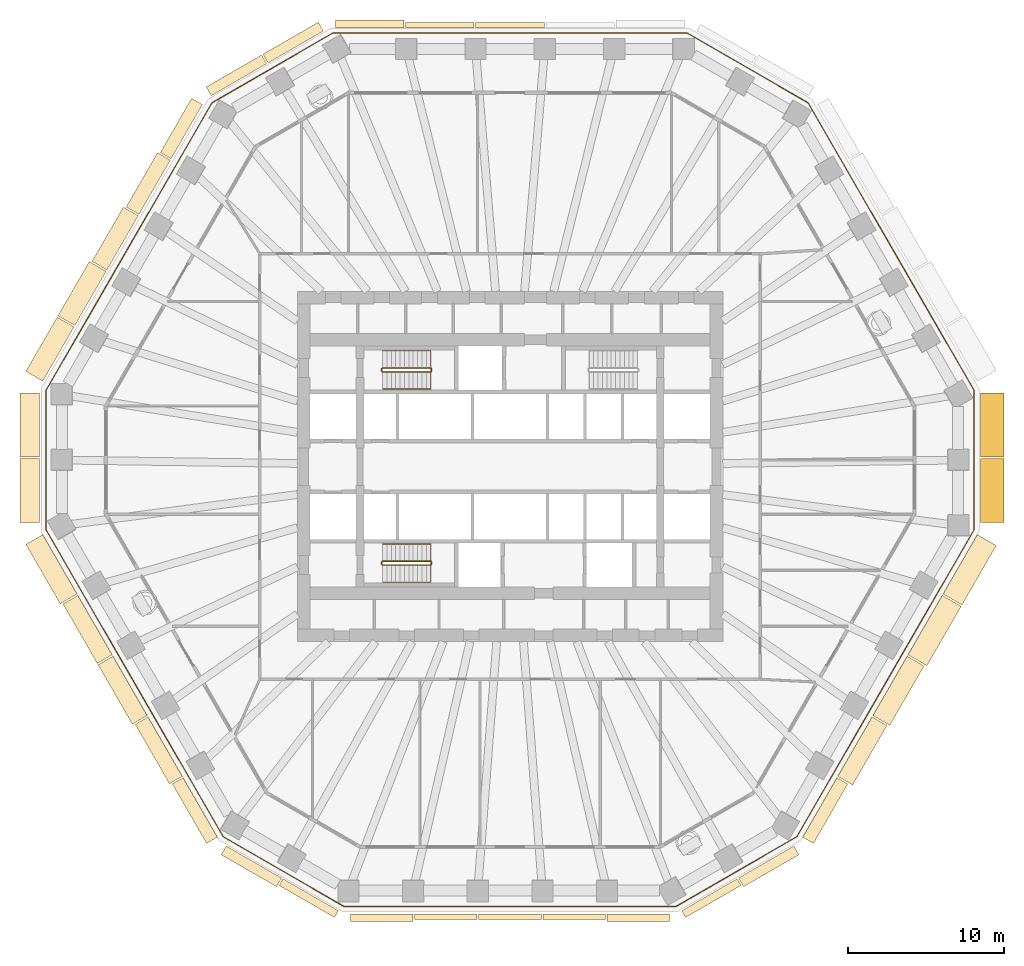
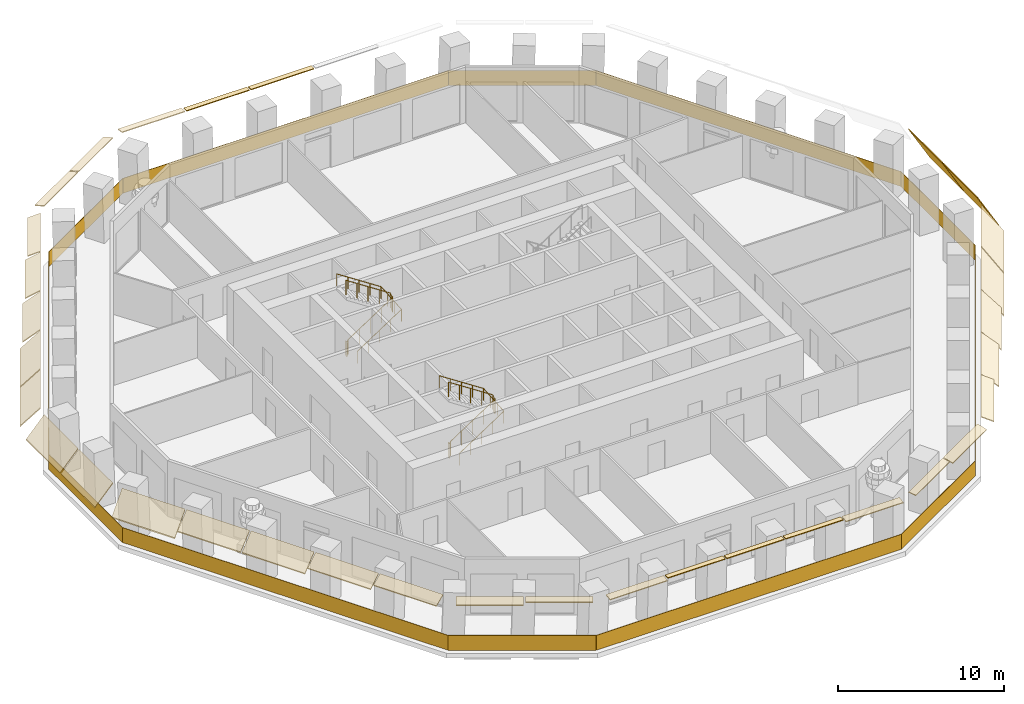
# One storey, part 10 of 13: 33 coverings, 5 railings.
"""IFC4 building model written with IfcOpenShell, lengths in metres."""

from ifc_helpers import new_model, si_unit, direction, frame, origin, origin_2d, place, context, subcontext, project, spatial, polyline, rectangle, circle, outline, extrude, material, layer, layer_set, type_object, element, save


model = new_model("IFC4")

# Units and contexts
model_context = context("Model", 3, precision=1e-05, world=origin(), true_north=direction((0.0, 1.0)))
body_context = subcontext(model_context, "Body", "Model", "MODEL_VIEW")
ifc_project = project(units=[si_unit("LENGTHUNIT", "METRE"), si_unit("AREAUNIT", "SQUARE_METRE"), si_unit("VOLUMEUNIT", "CUBIC_METRE"), si_unit("PLANEANGLEUNIT", "RADIAN"), si_unit("MASSUNIT", "GRAM", prefix="KILO")], contexts=[model_context])

# Site, building, storey
site_placement = place(None, origin())
site = spatial("IfcSite", under=ifc_project, at=site_placement, CompositionType="ELEMENT")
building_placement = place(site_placement, origin())
building = spatial("IfcBuilding", under=site, at=building_placement, Name="Frailejon Research Tower", CompositionType="ELEMENT")
storey_placement = place(building_placement, frame((0.0, 0.0, 94.0)))
storey = spatial("IfcBuildingStorey", under=building, at=storey_placement, Name="L20", CompositionType="ELEMENT", Elevation=94.0)

# Coverings
ifc_material_1 = material(Name="Precast concrete C50/60", Category="concrete")
ifc_layer_1 = layer(ifc_material_1, 0.06005859375)
ifc_layer_set_1 = layer_set([ifc_layer_1], Name="Brim blade depth 1100")
covering_type_1 = type_object("IfcCoveringType", Name="Brim blade depth 1100", PredefinedType="CLADDING", material=ifc_layer_set_1)
covering_1_placement = place(storey_placement, frame((-25.77197265625, 12.567626953125, 4.25), z_axis=(0.50000437419, 0.86602287833, 0.0), x_axis=(-0.86602287833, 0.50000437419, 0.0)))
element("IfcCovering", 1, at=covering_1_placement, inside=storey, type_object=covering_type_1, Name="Brim blade L20", PredefinedType="CLADDING", context=body_context, shape_type="SweptSolid", body=[
    extrude(outline(polyline([(0.0, -0.078369140625), (1.10009765625, -1.001220703125), (1.10009765625, -0.923095703125), (0.0, 0.0), (0.0, -0.078369140625)])), origin(), (0.0, 0.0, 1.0), 4.004150390625),
])
for number, where, z_axis, x_axis, name in (
    (2, (-25.438720703125, -12.03857421875, 4.25), (-0.50000023118, 0.866025270312, 0.0), (-0.866025270312, -0.50000023118, 0.0), "Brim blade L20"),
    (3, (-23.195068359375, -15.9248046875, 4.25), (-0.50000023118, 0.866025270312, 0.0), (-0.866025270312, -0.50000023118, 0.0), "Brim blade L20"),
    (4, (23.14501953125, -16.011474609375, 4.25), (-0.50000023118, -0.866025270312, 0.0), (0.866025270312, -0.50000023118, 0.0), "Brim blade L20"),
):
    element("IfcCovering", number, at=place(storey_placement, frame(where, z_axis=z_axis, x_axis=x_axis)), inside=storey, type_object=covering_type_1, Name=name, PredefinedType="CLADDING", context=body_context, shape_type="SweptSolid", body=[
        extrude(outline(polyline([(0.0, -0.078369140625), (1.10009765625, -1.001220703125), (1.10009765625, -0.923095703125), (0.0, 0.0), (0.0, -0.078369140625)])), origin(), (0.0, 0.0, 1.0), 4.387451171875),
    ])
ifc_material_2 = material(Name="Precast concrete C50/60", Category="concrete")
ifc_layer_2 = layer(ifc_material_2, 0.06005859375)
ifc_layer_set_2 = layer_set([ifc_layer_2], Name="Brim blade depth 1250")
covering_type_2 = type_object("IfcCoveringType", Name="Brim blade depth 1250", PredefinedType="CLADDING", material=ifc_layer_set_2)
covering_2_placement = place(storey_placement, frame((-27.82421875, 9.01318359375, 4.25), z_axis=(0.499993824204, 0.866028969353, 0.0), x_axis=(-0.866028969353, 0.499993824204, 0.0)))
element("IfcCovering", 5, at=covering_2_placement, inside=storey, type_object=covering_type_2, Name="Brim blade L20", PredefinedType="CLADDING", context=body_context, shape_type="SweptSolid", body=[
    extrude(outline(polyline([(0.0, -0.0888671875), (1.25, -1.452880859375), (1.25, -1.364013671875), (0.0, 0.0), (0.0, -0.0888671875)])), origin(), (0.0, 0.0, 1.0), 4.00439453125),
])
covering_3_placement = place(storey_placement, frame((-29.876220703125, 5.458984375, 4.25), z_axis=(0.50000437419, 0.86602287833, 0.0), x_axis=(-0.86602287833, 0.50000437419, 0.0)))
element("IfcCovering", 6, at=covering_3_placement, inside=storey, type_object=covering_type_2, Name="Brim blade L20", PredefinedType="CLADDING", context=body_context, shape_type="SweptSolid", body=[
    extrude(outline(polyline([(0.0, -0.0888671875), (1.25, -1.452880859375), (1.25, -1.364013671875), (0.0, 0.0), (0.0, -0.0888671875)])), origin(), (0.0, 0.0, 1.0), 4.004150390625),
])
for number, where, z_axis, x_axis, name in (
    (7, (-30.08203125, 0.60302734375, 4.25), (0.0, 1.0, 0.0), (-1.0, 0.0, 0.0), "Brim blade L20"),
    (8, (-30.08203125, -3.58447265625, 4.25), (0.0, 1.0, 0.0), (-1.0, 0.0, 0.0), "Brim blade L20"),
):
    element("IfcCovering", number, at=place(storey_placement, frame(where, z_axis=z_axis, x_axis=x_axis)), inside=storey, type_object=covering_type_2, Name=name, PredefinedType="CLADDING", context=body_context, shape_type="SweptSolid", body=[
        extrude(outline(polyline([(0.0, -0.0888671875), (1.25, -1.452880859375), (1.25, -1.364013671875), (0.0, 0.0), (0.0, -0.0888671875)])), origin(), (0.0, 0.0, 1.0), 4.087646484375),
    ])
for number, where, z_axis, x_axis, name in (
    (9, (-27.6826171875, -8.15234375, 4.25), (-0.50000023118, 0.866025270312, 0.0), (-0.866025270312, -0.50000023118, 0.0), "Brim blade L20"),
    (10, (25.388916015625, -12.125244140625, 4.25), (-0.50000023118, -0.866025270312, 0.0), (0.866025270312, -0.50000023118, 0.0), "Brim blade L20"),
):
    element("IfcCovering", number, at=place(storey_placement, frame(where, z_axis=z_axis, x_axis=x_axis)), inside=storey, type_object=covering_type_2, Name=name, PredefinedType="CLADDING", context=body_context, shape_type="SweptSolid", body=[
        extrude(outline(polyline([(0.0, -0.0888671875), (1.25, -1.452880859375), (1.25, -1.364013671875), (0.0, 0.0), (0.0, -0.0888671875)])), origin(), (0.0, 0.0, 1.0), 4.387451171875),
    ])
ifc_material_3 = material(Name="Precast concrete C50/60", Category="concrete")
ifc_layer_3 = layer(ifc_material_3, 0.06005859375)
ifc_layer_set_3 = layer_set([ifc_layer_3], Name="Brim blade depth 1400")
covering_type_3 = type_object("IfcCoveringType", Name="Brim blade depth 1400", PredefinedType="CLADDING", material=ifc_layer_set_3)
for number, where, z_axis, x_axis, name in (
    (11, (27.632568359375, -8.239013671875, 4.25), (-0.50000023118, -0.866025270312, 0.0), (0.866025270312, -0.50000023118, 0.0), "Brim blade L20"),
    (12, (29.876220703125, -4.352783203125, 4.25), (-0.50000023118, -0.866025270312, 0.0), (0.866025270312, -0.50000023118, 0.0), "Brim blade L20"),
):
    element("IfcCovering", number, at=place(storey_placement, frame(where, z_axis=z_axis, x_axis=x_axis)), inside=storey, type_object=covering_type_3, Name=name, PredefinedType="CLADDING", context=body_context, shape_type="SweptSolid", body=[
        extrude(outline(polyline([(0.0, -0.1044921875), (1.39990234375, -2.10400390625), (1.39990234375, -1.99951171875), (0.0, 0.0), (0.0, -0.1044921875)])), origin(), (0.0, 0.0, 1.0), 4.387451171875),
    ])
ifc_material_4 = material(Name="Precast concrete C50/60", Category="concrete")
ifc_layer_4 = layer(ifc_material_4, 0.06005859375)
ifc_layer_set_4 = layer_set([ifc_layer_4], Name="Brim blade depth 1500")
covering_type_4 = type_object("IfcCoveringType", Name="Brim blade depth 1500", PredefinedType="CLADDING", material=ifc_layer_set_4)
for number, where, z_axis, x_axis, name in (
    (13, (30.08203125, 0.503173828125, 4.25), (0.0, -1.0, 0.0), (1.0, 0.0, 0.0), "Brim blade L20"),
    (14, (30.08203125, 4.690673828125, 4.25), (0.0, -1.0, 0.0), (1.0, 0.0, 0.0), "Brim blade L20"),
):
    element("IfcCovering", number, at=place(storey_placement, frame(where, z_axis=z_axis, x_axis=x_axis)), inside=storey, type_object=covering_type_4, Name=name, PredefinedType="CLADDING", context=body_context, shape_type="SweptSolid", body=[
        extrude(outline(polyline([(0.0, -0.1201171875), (1.5, -2.718017578125), (1.5, -2.59814453125), (0.0, 0.0), (0.0, -0.1201171875)])), origin(), (0.0, 0.0, 1.0), 4.087646484375),
    ])
ifc_material_5 = material(Name="Precast concrete C50/60", Category="concrete")
ifc_layer_5 = layer(ifc_material_5, 0.06005859375)
ifc_layer_set_5 = layer_set([ifc_layer_5], Name="Brim blade depth 350")
covering_type_5 = type_object("IfcCoveringType", Name="Brim blade depth 350", PredefinedType="CLADDING", material=ifc_layer_set_5)
for number, where, z_axis, x_axis, name in (
    (15, (-2.193603515625, 28.050048828125, 4.25), (1.0, 0.0, 0.0), (0.0, 1.0, 0.0), "Brim blade L20"),
    (16, (-6.68115234375, 28.050048828125, 4.25), (1.0, 0.0, 0.0), (0.0, 1.0, 0.0), "Brim blade L20"),
):
    element("IfcCovering", number, at=place(storey_placement, frame(where, z_axis=z_axis, x_axis=x_axis)), inside=storey, type_object=covering_type_5, Name=name, PredefinedType="CLADDING", context=body_context, shape_type="SweptSolid", body=[
        extrude(outline(polyline([(0.0, -0.06005859375), (0.35009765625, -0.06005859375), (0.35009765625, 0.0), (0.0, 0.0), (0.0, -0.06005859375)])), origin(), (0.0, 0.0, 1.0), 4.387451171875),
    ])
for number, where, z_axis, x_axis, name in (
    (17, (-2.10205078125, -28.60302734375, 4.25), (-1.0, 0.0, 0.0), (0.0, -1.0, 0.0), "Brim blade L20"),
    (18, (2.002197265625, -28.60302734375, 4.25), (-1.0, 0.0, 0.0), (0.0, -1.0, 0.0), "Brim blade L20"),
    (19, (6.106201171875, -28.60302734375, 4.25), (-1.0, 0.0, 0.0), (0.0, -1.0, 0.0), "Brim blade L20"),
):
    element("IfcCovering", number, at=place(storey_placement, frame(where, z_axis=z_axis, x_axis=x_axis)), inside=storey, type_object=covering_type_5, Name=name, PredefinedType="CLADDING", context=body_context, shape_type="SweptSolid", body=[
        extrude(outline(polyline([(0.0, -0.06005859375), (0.35009765625, -0.06005859375), (0.35009765625, 0.0), (0.0, 0.0), (0.0, -0.06005859375)])), origin(), (0.0, 0.0, 1.0), 4.004150390625),
    ])
ifc_material_6 = material(Name="Precast concrete C50/60", Category="concrete")
ifc_layer_6 = layer(ifc_material_6, 0.06005859375)
ifc_layer_set_6 = layer_set([ifc_layer_6], Name="Brim blade depth 500")
covering_type_6 = type_object("IfcCoveringType", Name="Brim blade depth 500", PredefinedType="CLADDING", material=ifc_layer_set_6)
covering_4_placement = place(storey_placement, frame((-11.16845703125, 28.050048828125, 4.25), z_axis=(1.0, 0.0, 0.0), x_axis=(0.0, 1.0, 0.0)))
element("IfcCovering", 20, at=covering_4_placement, inside=storey, type_object=covering_type_6, Name="Brim blade L20", PredefinedType="CLADDING", context=body_context, shape_type="SweptSolid", body=[
    extrude(outline(polyline([(0.0, -0.060546875), (0.5, -0.130859375), (0.5, -0.0703125), (0.0, 0.0), (0.0, -0.060546875)])), origin(), (0.0, 0.0, 1.0), 4.387451171875),
])
covering_5_placement = place(storey_placement, frame((-10.978759765625, -28.397216796875, 4.25), z_axis=(-0.866027315287, 0.499996689166, 0.0), x_axis=(-0.499996689166, -0.866027315287, 0.0)))
element("IfcCovering", 21, at=covering_5_placement, inside=storey, type_object=covering_type_6, Name="Brim blade L20", PredefinedType="CLADDING", context=body_context, shape_type="SweptSolid", body=[
    extrude(outline(polyline([(0.0, -0.060546875), (0.5, -0.130859375), (0.5, -0.0703125), (0.0, 0.0), (0.0, -0.060546875)])), origin(), (0.0, 0.0, 1.0), 4.087646484375),
])
for number, where, z_axis, x_axis, name in (
    (22, (-6.206298828125, -28.60302734375, 4.25), (-1.0, 0.0, 0.0), (0.0, -1.0, 0.0), "Brim blade L20"),
    (23, (10.21044921875, -28.60302734375, 4.25), (-1.0, 0.0, 0.0), (0.0, -1.0, 0.0), "Brim blade L20"),
):
    element("IfcCovering", number, at=place(storey_placement, frame(where, z_axis=z_axis, x_axis=x_axis)), inside=storey, type_object=covering_type_6, Name=name, PredefinedType="CLADDING", context=body_context, shape_type="SweptSolid", body=[
        extrude(outline(polyline([(0.0, -0.060546875), (0.5, -0.130859375), (0.5, -0.0703125), (0.0, 0.0), (0.0, -0.060546875)])), origin(), (0.0, 0.0, 1.0), 4.004150390625),
    ])
covering_6_placement = place(storey_placement, frame((14.518798828125, -26.353515625, 4.25), z_axis=(-0.866027315287, -0.499996689166, 0.0), x_axis=(0.499996689166, -0.866027315287, 0.0)))
element("IfcCovering", 24, at=covering_6_placement, inside=storey, type_object=covering_type_6, Name="Brim blade L20", PredefinedType="CLADDING", context=body_context, shape_type="SweptSolid", body=[
    extrude(outline(polyline([(0.0, -0.060546875), (0.5, -0.130859375), (0.5, -0.0703125), (0.0, 0.0), (0.0, -0.060546875)])), origin(), (0.0, 0.0, 1.0), 4.087646484375),
])
ifc_material_7 = material(Name="Precast concrete C50/60", Category="concrete")
ifc_layer_7 = layer(ifc_material_7, 0.06005859375)
ifc_layer_set_7 = layer_set([ifc_layer_7], Name="Brim blade depth 650")
covering_type_7 = type_object("IfcCoveringType", Name="Brim blade depth 650", PredefinedType="CLADDING", material=ifc_layer_set_7)
covering_7_placement = place(storey_placement, frame((-15.476806640625, 25.80029296875, 4.25), z_axis=(0.866027315287, 0.499996689166, 0.0), x_axis=(-0.499996689166, 0.866027315287, 0.0)))
element("IfcCovering", 25, at=covering_7_placement, inside=storey, type_object=covering_type_7, Name="Brim blade L20", PredefinedType="CLADDING", context=body_context, shape_type="SweptSolid", body=[
    extrude(outline(polyline([(0.0, -0.0625), (0.64990234375, -0.248779296875), (0.64990234375, -0.186279296875), (0.0, 0.0), (0.0, -0.0625)])), origin(), (0.0, 0.0, 1.0), 4.087646484375),
])
for number, where, z_axis, x_axis, name in (
    (26, (-19.103271484375, 23.70654296875, 4.25), (0.866021344981, 0.500007029989, 0.0), (-0.500007029989, 0.866021344981, 0.0), "Brim blade L20"),
    (27, (-14.60546875, -26.303466796875, 4.25), (-0.866021344981, 0.500007029989, 0.0), (-0.500007029989, -0.866021344981, 0.0), "Brim blade L20"),
    (28, (18.145263671875, -24.259521484375, 4.25), (-0.866021344981, -0.500007029989, 0.0), (0.500007029989, -0.866021344981, 0.0), "Brim blade L20"),
):
    element("IfcCovering", number, at=place(storey_placement, frame(where, z_axis=z_axis, x_axis=x_axis)), inside=storey, type_object=covering_type_7, Name=name, PredefinedType="CLADDING", context=body_context, shape_type="SweptSolid", body=[
        extrude(outline(polyline([(0.0, -0.0625), (0.64990234375, -0.248779296875), (0.64990234375, -0.186279296875), (0.0, 0.0), (0.0, -0.0625)])), origin(), (0.0, 0.0, 1.0), 4.08740234375),
    ])
ifc_material_8 = material(Name="Precast concrete C50/60", Category="concrete")
ifc_layer_8 = layer(ifc_material_8, 0.06005859375)
ifc_layer_set_8 = layer_set([ifc_layer_8], Name="Brim blade depth 800")
covering_type_8 = type_object("IfcCoveringType", Name="Brim blade depth 800", PredefinedType="CLADDING", material=ifc_layer_set_8)
covering_8_placement = place(storey_placement, frame((-21.667724609375, 19.676513671875, 4.25), z_axis=(0.50000437419, 0.86602287833, 0.0), x_axis=(-0.86602287833, 0.50000437419, 0.0)))
element("IfcCovering", 29, at=covering_8_placement, inside=storey, type_object=covering_type_8, Name="Brim blade L20", PredefinedType="CLADDING", context=body_context, shape_type="SweptSolid", body=[
    extrude(outline(polyline([(0.0, -0.065673828125), (0.800048828125, -0.421875), (0.800048828125, -0.356201171875), (0.0, 0.0), (0.0, -0.065673828125)])), origin(), (0.0, 0.0, 1.0), 4.004150390625),
])
for number, where, z_axis, x_axis, name in (
    (30, (-18.707763671875, -23.697265625, 4.25), (-0.50000023118, 0.866025270312, 0.0), (-0.866025270312, -0.50000023118, 0.0), "Brim blade L20"),
    (31, (20.9013671875, -19.897705078125, 4.25), (-0.50000023118, -0.866025270312, 0.0), (0.866025270312, -0.50000023118, 0.0), "Brim blade L20"),
):
    element("IfcCovering", number, at=place(storey_placement, frame(where, z_axis=z_axis, x_axis=x_axis)), inside=storey, type_object=covering_type_8, Name=name, PredefinedType="CLADDING", context=body_context, shape_type="SweptSolid", body=[
        extrude(outline(polyline([(0.0, -0.065673828125), (0.800048828125, -0.421875), (0.800048828125, -0.356201171875), (0.0, 0.0), (0.0, -0.065673828125)])), origin(), (0.0, 0.0, 1.0), 4.387451171875),
    ])
ifc_material_9 = material(Name="Precast concrete C50/60", Category="concrete")
ifc_layer_9 = layer(ifc_material_9, 0.06005859375)
ifc_layer_set_9 = layer_set([ifc_layer_9], Name="Brim blade depth 950")
covering_type_9 = type_object("IfcCoveringType", Name="Brim blade depth 950", PredefinedType="CLADDING", material=ifc_layer_set_9)
covering_9_placement = place(storey_placement, frame((-23.719970703125, 16.1220703125, 4.25), z_axis=(0.499993824204, 0.866028969353, 0.0), x_axis=(-0.866028969353, 0.499993824204, 0.0)))
element("IfcCovering", 32, at=covering_9_placement, inside=storey, type_object=covering_type_9, Name="Brim blade L20", PredefinedType="CLADDING", context=body_context, shape_type="SweptSolid", body=[
    extrude(outline(polyline([(0.0, -0.07080078125), (0.949951171875, -0.664306640625), (0.949951171875, -0.593505859375), (0.0, 0.0), (0.0, -0.07080078125)])), origin(), (0.0, 0.0, 1.0), 4.00439453125),
])
covering_10_placement = place(storey_placement, frame((-20.951416015625, -19.81103515625, 4.25), z_axis=(-0.50000023118, 0.866025270312, 0.0), x_axis=(-0.866025270312, -0.50000023118, 0.0)))
element("IfcCovering", 33, at=covering_10_placement, inside=storey, type_object=covering_type_9, Name="Brim blade L20", PredefinedType="CLADDING", context=body_context, shape_type="SweptSolid", body=[
    extrude(outline(polyline([(0.0, -0.07080078125), (0.949951171875, -0.664306640625), (0.949951171875, -0.593505859375), (0.0, 0.0), (0.0, -0.07080078125)])), origin(), (0.0, 0.0, 1.0), 4.387451171875),
])

# Railings
ifc_material_10 = material(Name="Laminated glass balustrade", Category="glass")
railing_type_1 = type_object("IfcRailingType", Name="Glass guard 1100", PredefinedType="GUARDRAIL", material=ifc_material_10)
railing_1_placement = place(storey_placement, frame((29.6669921875, -4.044677734375, 0.0)))
element("IfcRailing", 34, at=railing_1_placement, inside=storey, type_object=railing_type_1, Name="Loggia guard L20", PredefinedType="GUARDRAIL", context=body_context, shape_type="SweptSolid", body=[
    extrude(rectangle(XDim=8.9189453125, YDim=0.030029296875, at=origin_2d()), frame((0.0, 4.45947265625, 0.0), z_axis=(0.0, 0.0, 1.0), x_axis=(0.0, 1.0, 0.0)), (0.0, 0.0, 1.0), 1.10009765625),
    extrude(rectangle(XDim=21.224609375, YDim=0.030029296875, at=origin_2d()), frame((-5.30615234375, 18.109375, 0.0), z_axis=(0.0, 0.0, 1.0), x_axis=(-0.499998926652, 0.866026023481, 0.0)), (0.0, 0.0, 1.0), 1.10009765625),
    extrude(rectangle(XDim=8.918701171875, YDim=0.030029296875, at=origin_2d()), frame((-14.47412109375, 29.52978515625, 0.0), z_axis=(0.0, 0.0, 1.0), x_axis=(-0.866032876802, 0.49998705613, 0.0)), (0.0, 0.0, 1.0), 1.10009765625),
    extrude(rectangle(XDim=22.66162109375, YDim=0.030029296875, at=origin_2d()), frame((-29.6669921875, 31.75927734375, 0.0), z_axis=(0.0, 0.0, 1.0), x_axis=(-1.0, 0.0, 0.0)), (0.0, 0.0, 1.0), 1.10009765625),
    extrude(rectangle(XDim=8.918701171875, YDim=0.030029296875, at=origin_2d()), frame((-44.85986328125, 29.52978515625, 0.0), z_axis=(0.0, 0.0, 1.0), x_axis=(-0.866032876802, -0.49998705613, 0.0)), (0.0, 0.0, 1.0), 1.10009765625),
    extrude(rectangle(XDim=21.224609375, YDim=0.030029296875, at=origin_2d()), frame((-54.02783203125, 18.109375, 0.0), z_axis=(0.0, 0.0, 1.0), x_axis=(-0.499998926652, -0.866026023481, 0.0)), (0.0, 0.0, 1.0), 1.10009765625),
    extrude(rectangle(XDim=8.9189453125, YDim=0.030029296875, at=origin_2d()), frame((-59.333984375, 4.45947265625, 0.0), z_axis=(0.0, 0.0, 1.0), x_axis=(0.0, -1.0, 0.0)), (0.0, 0.0, 1.0), 1.10009765625),
    extrude(rectangle(XDim=22.66162109375, YDim=0.030029296875, at=origin_2d()), frame((-53.66845703125, -9.812744140625, 0.0), z_axis=(0.0, 0.0, 1.0), x_axis=(0.500000979788, -0.866024838103, 0.0)), (0.0, 0.0, 1.0), 1.10009765625),
    extrude(rectangle(XDim=8.918701171875, YDim=0.030029296875, at=origin_2d()), frame((-44.14111328125, -21.85498046875, 0.0), z_axis=(0.0, 0.0, 1.0), x_axis=(0.866032876802, -0.49998705613, 0.0)), (0.0, 0.0, 1.0), 1.10009765625),
    extrude(rectangle(XDim=21.224609375, YDim=0.030029296875, at=origin_2d()), frame((-29.6669921875, -24.084716796875, 0.0), z_axis=(0.0, 0.0, 1.0), x_axis=(1.0, 0.0, 0.0)), (0.0, 0.0, 1.0), 1.10009765625),
    extrude(rectangle(XDim=8.918701171875, YDim=0.030029296875, at=origin_2d()), frame((-15.19287109375, -21.85498046875, 0.0), z_axis=(0.0, 0.0, 1.0), x_axis=(0.866032876802, 0.49998705613, 0.0)), (0.0, 0.0, 1.0), 1.10009765625),
    extrude(rectangle(XDim=22.591796875, YDim=0.030029296875, at=origin_2d()), frame((-5.682861328125, -9.843017578125, 0.0), z_axis=(0.0, 0.0, 1.0), x_axis=(0.500002464951, 0.86602398064, 0.0)), (0.0, 0.0, 1.0), 1.10009765625),
])
ifc_material_11 = material(Name="Stainless steel", Category="steel")
railing_type_2 = type_object("IfcRailingType", Name="Stair guard 1100", PredefinedType="GUARDRAIL", material=ifc_material_11)
railing_2_placement = place(storey_placement, frame((-8.199951171875, 6.25, 0.0)))
element("IfcRailing", 35, at=railing_2_placement, inside=storey, type_object=railing_type_2, Name="L20 ST1 stair guard 1", PredefinedType="GUARDRAIL", context=body_context, shape_type="SweptSolid", body=[
    extrude(circle(Radius=0.02392578125, at=origin_2d()), frame((0.0, 0.0, 1.076171875), z_axis=(0.0, -1.0, 0.0), x_axis=(1.0, 0.0, 0.0)), (0.0, 0.0, 1.0), 0.14990234375),
    extrude(circle(Radius=0.02392578125, at=origin_2d()), frame((0.0, -0.14990234375, 1.076171875), z_axis=(0.254653276557, -0.254653276557, 0.932900539971), x_axis=(0.707106781187, 0.707106781187, 0.0)), (0.0, 0.0, 1.0), 0.196533203125),
    extrude(circle(Radius=0.02392578125, at=origin_2d()), frame((0.050048828125, -0.199951171875, 1.25927734375), z_axis=(0.836613101238, 0.0, 0.547794230379), x_axis=(0.0, 1.0, 0.0)), (0.0, 0.0, 1.0), 3.681396484375),
    extrude(circle(Radius=0.02392578125, at=origin_2d()), frame((3.1298828125, -0.199951171875, 3.27587890625), z_axis=(0.707106781187, 0.707106781187, 0.0), x_axis=(-0.707106781187, 0.707106781187, 0.0)), (0.0, 0.0, 1.0), 0.07080078125),
    extrude(circle(Radius=0.02392578125, at=origin_2d()), frame((3.179931640625, -0.14990234375, 3.27587890625), z_axis=(0.0, 1.0, 0.0), x_axis=(-1.0, 0.0, 0.0)), (0.0, 0.0, 1.0), 0.14990234375),
    extrude(circle(Radius=0.02392578125, at=origin_2d()), frame((3.179931640625, 0.0, 3.27587890625), z_axis=(-0.254653276557, 0.254653276557, 0.932900539971), x_axis=(-0.707106781187, -0.707106781187, 0.0)), (0.0, 0.0, 1.0), 0.196533203125),
    extrude(circle(Radius=0.02392578125, at=origin_2d()), frame((3.1298828125, 0.050048828125, 3.45947265625), z_axis=(-0.836613101238, 0.0, 0.547794230379), x_axis=(0.0, -1.0, 0.0)), (0.0, 0.0, 1.0), 3.681396484375),
    extrude(circle(Radius=0.02099609375, at=origin_2d()), origin(), (0.0, 0.0, 1.0), 1.052001953125),
    extrude(circle(Radius=0.02099609375, at=origin_2d()), frame((0.0, -0.14990234375, 0.0)), (0.0, 0.0, 1.0), 1.052001953125),
    extrude(circle(Radius=0.02099609375, at=origin_2d()), frame((0.050048828125, -0.199951171875, 0.183349609375)), (0.0, 0.0, 1.0), 1.052001953125),
    extrude(circle(Radius=0.02099609375, at=origin_2d()), frame((0.820068359375, -0.199951171875, 0.6875)), (0.0, 0.0, 1.0), 1.052001953125),
    extrude(circle(Radius=0.02099609375, at=origin_2d()), frame((1.58984375, -0.199951171875, 1.191650390625)), (0.0, 0.0, 1.0), 1.052001953125),
    extrude(circle(Radius=0.02099609375, at=origin_2d()), frame((2.35986328125, -0.199951171875, 1.69580078125)), (0.0, 0.0, 1.0), 1.052001953125),
    extrude(circle(Radius=0.02099609375, at=origin_2d()), frame((3.1298828125, -0.199951171875, 2.199951171875)), (0.0, 0.0, 1.0), 1.052001953125),
    extrude(circle(Radius=0.02099609375, at=origin_2d()), frame((3.179931640625, -0.14990234375, 2.199951171875)), (0.0, 0.0, 1.0), 1.052001953125),
    extrude(circle(Radius=0.02099609375, at=origin_2d()), frame((3.179931640625, 0.0, 2.199951171875)), (0.0, 0.0, 1.0), 1.052001953125),
    extrude(circle(Radius=0.02099609375, at=origin_2d()), frame((3.1298828125, 0.050048828125, 2.38330078125)), (0.0, 0.0, 1.0), 1.052001953125),
    extrude(circle(Radius=0.02099609375, at=origin_2d()), frame((2.35986328125, 0.050048828125, 2.887451171875)), (0.0, 0.0, 1.0), 1.052001953125),
    extrude(circle(Radius=0.02099609375, at=origin_2d()), frame((1.58984375, 0.050048828125, 3.3916015625)), (0.0, 0.0, 1.0), 1.052001953125),
    extrude(circle(Radius=0.02099609375, at=origin_2d()), frame((0.820068359375, 0.050048828125, 3.895751953125)), (0.0, 0.0, 1.0), 1.052001953125),
    extrude(circle(Radius=0.02099609375, at=origin_2d()), frame((0.050048828125, 0.050048828125, 4.39990234375)), (0.0, 0.0, 1.0), 1.052001953125),
])
railing_3_placement = place(storey_placement, frame((-8.199951171875, -6.10009765625, 0.0)))
element("IfcRailing", 36, at=railing_3_placement, inside=storey, type_object=railing_type_2, Name="L20 ST2 stair guard 1", PredefinedType="GUARDRAIL", context=body_context, shape_type="SweptSolid", body=[
    extrude(circle(Radius=0.02392578125, at=origin_2d()), frame((0.0, 0.0, 1.076171875), z_axis=(0.0, -1.0, 0.0), x_axis=(1.0, 0.0, 0.0)), (0.0, 0.0, 1.0), 0.14990234375),
    extrude(circle(Radius=0.02392578125, at=origin_2d()), frame((0.0, -0.14990234375, 1.076171875), z_axis=(0.254653276557, -0.254653276557, 0.932900539971), x_axis=(0.707106781187, 0.707106781187, 0.0)), (0.0, 0.0, 1.0), 0.196533203125),
    extrude(circle(Radius=0.02392578125, at=origin_2d()), frame((0.050048828125, -0.199951171875, 1.25927734375), z_axis=(0.836613101238, 0.0, 0.547794230379), x_axis=(0.0, 1.0, 0.0)), (0.0, 0.0, 1.0), 3.681396484375),
    extrude(circle(Radius=0.02392578125, at=origin_2d()), frame((3.1298828125, -0.199951171875, 3.27587890625), z_axis=(0.707106781187, 0.707106781187, 0.0), x_axis=(-0.707106781187, 0.707106781187, 0.0)), (0.0, 0.0, 1.0), 0.07080078125),
    extrude(circle(Radius=0.02392578125, at=origin_2d()), frame((3.179931640625, -0.14990234375, 3.27587890625), z_axis=(0.0, 1.0, 0.0), x_axis=(-1.0, 0.0, 0.0)), (0.0, 0.0, 1.0), 0.14990234375),
    extrude(circle(Radius=0.02392578125, at=origin_2d()), frame((3.179931640625, 0.0, 3.27587890625), z_axis=(-0.254653276557, 0.254653276557, 0.932900539971), x_axis=(-0.707106781187, -0.707106781187, 0.0)), (0.0, 0.0, 1.0), 0.196533203125),
    extrude(circle(Radius=0.02392578125, at=origin_2d()), frame((3.1298828125, 0.050048828125, 3.45947265625), z_axis=(-0.836613101238, 0.0, 0.547794230379), x_axis=(0.0, -1.0, 0.0)), (0.0, 0.0, 1.0), 3.681396484375),
    extrude(circle(Radius=0.02099609375, at=origin_2d()), origin(), (0.0, 0.0, 1.0), 1.052001953125),
    extrude(circle(Radius=0.02099609375, at=origin_2d()), frame((0.0, -0.14990234375, 0.0)), (0.0, 0.0, 1.0), 1.052001953125),
    extrude(circle(Radius=0.02099609375, at=origin_2d()), frame((0.050048828125, -0.199951171875, 0.183349609375)), (0.0, 0.0, 1.0), 1.052001953125),
    extrude(circle(Radius=0.02099609375, at=origin_2d()), frame((0.820068359375, -0.199951171875, 0.6875)), (0.0, 0.0, 1.0), 1.052001953125),
    extrude(circle(Radius=0.02099609375, at=origin_2d()), frame((1.58984375, -0.199951171875, 1.191650390625)), (0.0, 0.0, 1.0), 1.052001953125),
    extrude(circle(Radius=0.02099609375, at=origin_2d()), frame((2.35986328125, -0.199951171875, 1.69580078125)), (0.0, 0.0, 1.0), 1.052001953125),
    extrude(circle(Radius=0.02099609375, at=origin_2d()), frame((3.1298828125, -0.199951171875, 2.199951171875)), (0.0, 0.0, 1.0), 1.052001953125),
    extrude(circle(Radius=0.02099609375, at=origin_2d()), frame((3.179931640625, -0.14990234375, 2.199951171875)), (0.0, 0.0, 1.0), 1.052001953125),
    extrude(circle(Radius=0.02099609375, at=origin_2d()), frame((3.179931640625, 0.0, 2.199951171875)), (0.0, 0.0, 1.0), 1.052001953125),
    extrude(circle(Radius=0.02099609375, at=origin_2d()), frame((3.1298828125, 0.050048828125, 2.38330078125)), (0.0, 0.0, 1.0), 1.052001953125),
    extrude(circle(Radius=0.02099609375, at=origin_2d()), frame((2.35986328125, 0.050048828125, 2.887451171875)), (0.0, 0.0, 1.0), 1.052001953125),
    extrude(circle(Radius=0.02099609375, at=origin_2d()), frame((1.58984375, 0.050048828125, 3.3916015625)), (0.0, 0.0, 1.0), 1.052001953125),
    extrude(circle(Radius=0.02099609375, at=origin_2d()), frame((0.820068359375, 0.050048828125, 3.895751953125)), (0.0, 0.0, 1.0), 1.052001953125),
    extrude(circle(Radius=0.02099609375, at=origin_2d()), frame((0.050048828125, 0.050048828125, 4.39990234375)), (0.0, 0.0, 1.0), 1.052001953125),
])
ifc_material_12 = material(Name="Stainless steel", Category="steel")
railing_type_3 = type_object("IfcRailingType", Name="Stair handrail 900", PredefinedType="HANDRAIL", material=ifc_material_12)
railing_4_placement = place(storey_placement, frame((-8.14990234375, 4.949951171875, 0.183349609375)))
element("IfcRailing", 37, at=railing_4_placement, inside=storey, type_object=railing_type_3, Name="L20 ST1 stair handrail 1", PredefinedType="HANDRAIL", context=body_context, shape_type="SweptSolid", body=[
    extrude(circle(Radius=0.02392578125, at=origin_2d()), frame((0.0, 0.0, 0.8759765625), z_axis=(0.836613101238, 0.0, 0.547794230379), x_axis=(0.0, 1.0, 0.0)), (0.0, 0.0, 1.0), 3.681396484375),
    extrude(circle(Radius=0.02392578125, at=origin_2d()), frame((3.079833984375, 0.0, 2.892578125), z_axis=(0.0, 0.99721134034, 0.074629368868), x_axis=(-1.0, 0.0, 0.0)), (0.0, 0.0, 1.0), 2.456787109375),
    extrude(circle(Radius=0.02392578125, at=origin_2d()), frame((3.079833984375, 2.449951171875, 3.07568359375), z_axis=(-0.836613101238, 0.0, 0.547794230379), x_axis=(0.0, -1.0, 0.0)), (0.0, 0.0, 1.0), 3.681396484375),
    extrude(circle(Radius=0.02099609375, at=origin_2d()), origin(), (0.0, 0.0, 1.0), 0.851806640625),
    extrude(circle(Radius=0.02099609375, at=origin_2d()), frame((0.77001953125, 0.0, 0.504150390625)), (0.0, 0.0, 1.0), 0.851806640625),
    extrude(circle(Radius=0.02099609375, at=origin_2d()), frame((1.5400390625, 0.0, 1.00830078125)), (0.0, 0.0, 1.0), 0.851806640625),
    extrude(circle(Radius=0.02099609375, at=origin_2d()), frame((2.309814453125, 0.0, 1.512451171875)), (0.0, 0.0, 1.0), 0.851806640625),
    extrude(circle(Radius=0.02099609375, at=origin_2d()), frame((3.079833984375, 0.0, 2.0166015625)), (0.0, 0.0, 1.0), 0.851806640625),
    extrude(circle(Radius=0.02099609375, at=origin_2d()), frame((3.079833984375, 0.816650390625, 2.07763671875)), (0.0, 0.0, 1.0), 0.851806640625),
    extrude(circle(Radius=0.02099609375, at=origin_2d()), frame((3.079833984375, 1.63330078125, 2.138916015625)), (0.0, 0.0, 1.0), 0.851806640625),
    extrude(circle(Radius=0.02099609375, at=origin_2d()), frame((3.079833984375, 2.449951171875, 2.199951171875)), (0.0, 0.0, 1.0), 0.851806640625),
    extrude(circle(Radius=0.02099609375, at=origin_2d()), frame((2.309814453125, 2.449951171875, 2.7041015625)), (0.0, 0.0, 1.0), 0.851806640625),
    extrude(circle(Radius=0.02099609375, at=origin_2d()), frame((1.5400390625, 2.449951171875, 3.208251953125)), (0.0, 0.0, 1.0), 0.851806640625),
    extrude(circle(Radius=0.02099609375, at=origin_2d()), frame((0.77001953125, 2.449951171875, 3.71240234375)), (0.0, 0.0, 1.0), 0.851806640625),
    extrude(circle(Radius=0.02099609375, at=origin_2d()), frame((0.0, 2.449951171875, 4.216552734375)), (0.0, 0.0, 1.0), 0.851806640625),
])
railing_5_placement = place(storey_placement, frame((-8.14990234375, -7.39990234375, 0.183349609375)))
element("IfcRailing", 38, at=railing_5_placement, inside=storey, type_object=railing_type_3, Name="L20 ST2 stair handrail 1", PredefinedType="HANDRAIL", context=body_context, shape_type="SweptSolid", body=[
    extrude(circle(Radius=0.02392578125, at=origin_2d()), frame((0.0, 0.0, 0.8759765625), z_axis=(0.836613101238, 0.0, 0.547794230379), x_axis=(0.0, 1.0, 0.0)), (0.0, 0.0, 1.0), 3.681396484375),
    extrude(circle(Radius=0.02392578125, at=origin_2d()), frame((3.079833984375, 0.0, 2.892578125), z_axis=(0.0, 0.99721134034, 0.074629368868), x_axis=(-1.0, 0.0, 0.0)), (0.0, 0.0, 1.0), 2.456787109375),
    extrude(circle(Radius=0.02392578125, at=origin_2d()), frame((3.079833984375, 2.449951171875, 3.07568359375), z_axis=(-0.836613101238, 0.0, 0.547794230379), x_axis=(0.0, -1.0, 0.0)), (0.0, 0.0, 1.0), 3.681396484375),
    extrude(circle(Radius=0.02099609375, at=origin_2d()), origin(), (0.0, 0.0, 1.0), 0.851806640625),
    extrude(circle(Radius=0.02099609375, at=origin_2d()), frame((0.77001953125, 0.0, 0.504150390625)), (0.0, 0.0, 1.0), 0.851806640625),
    extrude(circle(Radius=0.02099609375, at=origin_2d()), frame((1.5400390625, 0.0, 1.00830078125)), (0.0, 0.0, 1.0), 0.851806640625),
    extrude(circle(Radius=0.02099609375, at=origin_2d()), frame((2.309814453125, 0.0, 1.512451171875)), (0.0, 0.0, 1.0), 0.851806640625),
    extrude(circle(Radius=0.02099609375, at=origin_2d()), frame((3.079833984375, 0.0, 2.0166015625)), (0.0, 0.0, 1.0), 0.851806640625),
    extrude(circle(Radius=0.02099609375, at=origin_2d()), frame((3.079833984375, 0.816650390625, 2.07763671875)), (0.0, 0.0, 1.0), 0.851806640625),
    extrude(circle(Radius=0.02099609375, at=origin_2d()), frame((3.079833984375, 1.63330078125, 2.138916015625)), (0.0, 0.0, 1.0), 0.851806640625),
    extrude(circle(Radius=0.02099609375, at=origin_2d()), frame((3.079833984375, 2.449951171875, 2.199951171875)), (0.0, 0.0, 1.0), 0.851806640625),
    extrude(circle(Radius=0.02099609375, at=origin_2d()), frame((2.309814453125, 2.449951171875, 2.7041015625)), (0.0, 0.0, 1.0), 0.851806640625),
    extrude(circle(Radius=0.02099609375, at=origin_2d()), frame((1.5400390625, 2.449951171875, 3.208251953125)), (0.0, 0.0, 1.0), 0.851806640625),
    extrude(circle(Radius=0.02099609375, at=origin_2d()), frame((0.77001953125, 2.449951171875, 3.71240234375)), (0.0, 0.0, 1.0), 0.851806640625),
    extrude(circle(Radius=0.02099609375, at=origin_2d()), frame((0.0, 2.449951171875, 4.216552734375)), (0.0, 0.0, 1.0), 0.851806640625),
])

save(model, "model.ifc")
